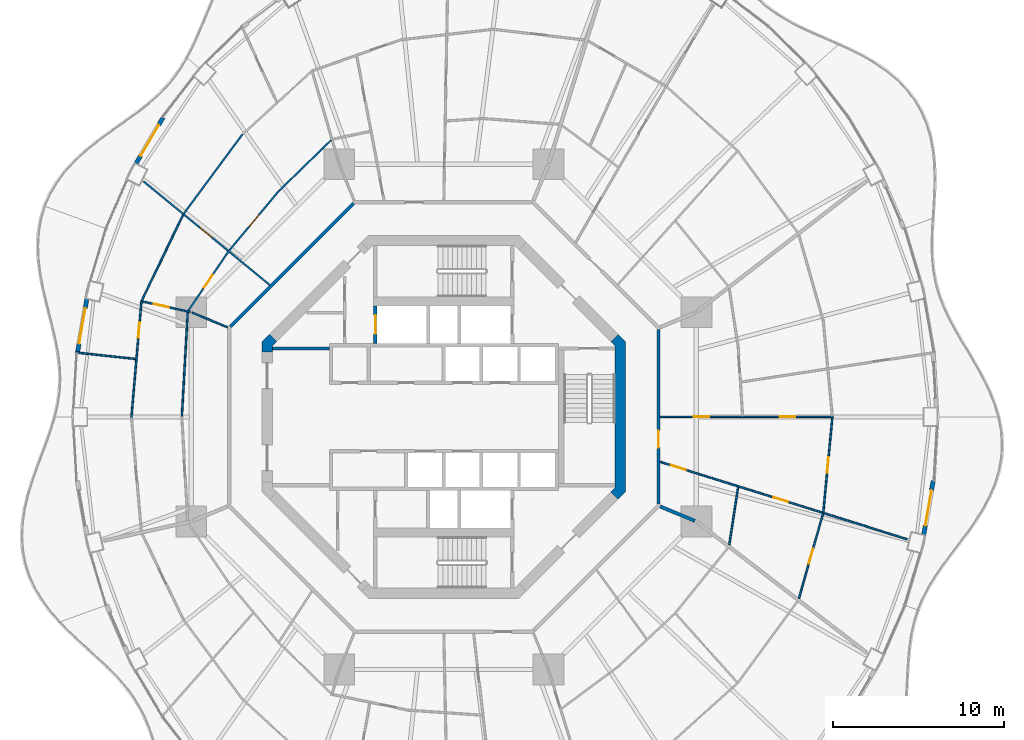
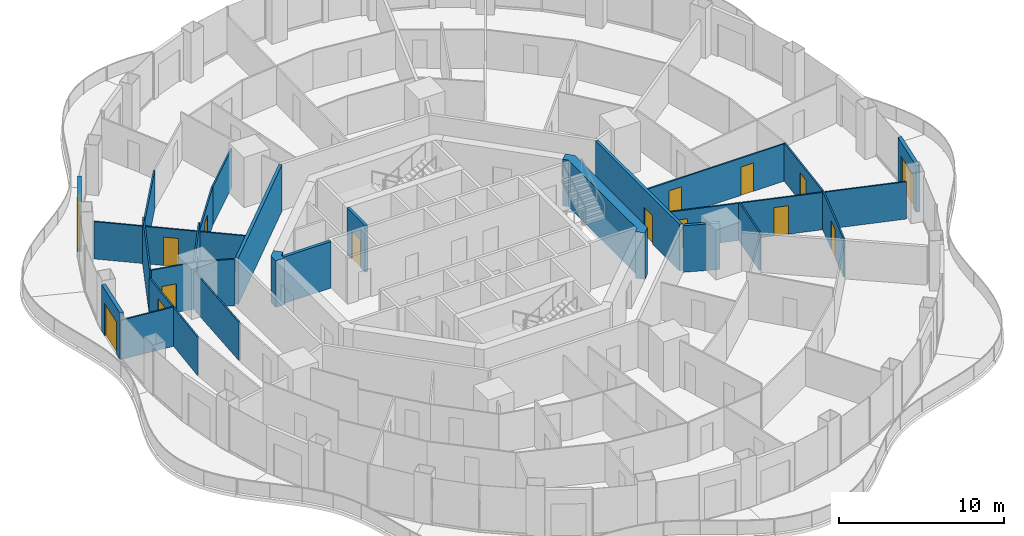
# One storey, part 13 of 19: 26 walls, 16 doors, 16 openings.
"""IFC4 building model written with IfcOpenShell, lengths in metres."""

from ifc_helpers import new_model, si_unit, direction, frame, frame_2d, origin, place, context, subcontext, project, spatial, polyline, rectangle, outline, extrude, material, layer, layer_set, type_object, element, fill, save


model = new_model("IFC4")

# Units and contexts
model_context = context("Model", 3, precision=1e-05, world=origin(), true_north=direction((0.0, 1.0)))
body_context = subcontext(model_context, "Body", "Model", "MODEL_VIEW")
ifc_project = project(units=[si_unit("LENGTHUNIT", "METRE"), si_unit("AREAUNIT", "SQUARE_METRE"), si_unit("VOLUMEUNIT", "CUBIC_METRE"), si_unit("PLANEANGLEUNIT", "RADIAN"), si_unit("MASSUNIT", "GRAM", prefix="KILO")], contexts=[model_context])

# Site, building, storey
site_placement = place(None, origin())
site = spatial("IfcSite", under=ifc_project, at=site_placement, CompositionType="ELEMENT")
building_placement = place(site_placement, origin())
building = spatial("IfcBuilding", under=site, at=building_placement, Name="Nagisa Residences", CompositionType="ELEMENT")
storey_placement = place(building_placement, frame((0.0, 0.0, 180.699951171875)))
storey = spatial("IfcBuildingStorey", under=building, at=storey_placement, Name="L45", CompositionType="ELEMENT", Elevation=180.699951171875)

# Wall
ifc_material_1 = material(Name="Gypsum board on steel studs", Category="steel")
ifc_layer_1 = layer(ifc_material_1, 0.199951171875)
ifc_layer_set_1 = layer_set([ifc_layer_1], Name="Apartment compartment wall EI60 200")
wall_type_1 = type_object("IfcWallType", Name="Apartment compartment wall EI60 200", PredefinedType="PARTITIONING", material=ifc_layer_set_1)
wall_1_placement = place(storey_placement, frame((12.6572265625, -5.24267578125, 0.0), z_axis=(0.0, 0.0, 1.0), x_axis=(0.92383017907, -0.382802560388, 0.0)))
element("IfcWall", 1, at=wall_1_placement, inside=storey, type_object=wall_type_1, Name="wall:L45:u06", PredefinedType="PARTITIONING", context=body_context, shape_type="SweptSolid", body=[
    extrude(rectangle(XDim=2.2001953125, YDim=0.199951171875, at=frame_2d((1.10009765625, 0.0))), origin(), (0.0, 0.0, 1.0), 3.43994140625),
])

# Wall, opening, door
ifc_material_2 = material(Name="Gypsum board on steel studs", Category="steel")
ifc_layer_2 = layer(ifc_material_2, 0.199951171875)
ifc_layer_set_2 = layer_set([ifc_layer_2], Name="Apartment entry wall EI60 200")
wall_type_2 = type_object("IfcWallType", Name="Apartment entry wall EI60 200", PredefinedType="PARTITIONING", material=ifc_layer_set_2)
wall_2_placement = place(storey_placement, frame((12.564697265625, -5.1044921875, 0.0), z_axis=(0.0, 0.0, 1.0), x_axis=(0.0, 1.0, 0.0)))
wall_2 = element("IfcWall", 2, at=wall_2_placement, inside=storey, type_object=wall_type_2, Name="wall:L45:u08", PredefinedType="PARTITIONING", context=body_context, shape_type="SweptSolid", body=[
    extrude(rectangle(XDim=10.208984375, YDim=0.199951171875, at=frame_2d((5.1044921875, 0.0))), origin(), (0.0, 0.0, 1.0), 3.43994140625),
])
opening_1_placement = place(wall_2_placement, frame((3.303466796875, 0.0, 0.0)))
opening_1 = element("IfcOpeningElement", 3, at=opening_1_placement, cuts=wall_2, Name="Opening L45-U36", PredefinedType="OPENING", context=body_context, shape_type="SweptSolid", body=[
    extrude(rectangle(XDim=1.0, YDim=2.10009765625, at=frame_2d((0.5, 1.050048828125))), frame((0.0, 0.10986328125, 0.0), z_axis=(0.0, -1.0, 0.0), x_axis=(1.0, 0.0, 0.0)), (0.0, 0.0, 1.0), 0.219970703125),
])
ifc_material_3 = material(Name="Timber fire door set", Category="wood")
door_type_1 = type_object("IfcDoorType", Name="Apartment entry door FD30S 1000x2100", OperationType="NOTDEFINED", PredefinedType="DOOR", material=ifc_material_3)
door_1_placement = place(opening_1_placement, frame((1.0, 0.0, 0.0), x_axis=(-1.0, 0.0, 0.0)))
door_1 = element("IfcDoor", 4, at=door_1_placement, inside=storey, type_object=door_type_1, Name="Entry door, Apartment 45C", OperationType="SINGLE_SWING_LEFT", OverallHeight=2.10009765625, OverallWidth=1.0, PredefinedType="DOOR", context=body_context, shape_type="SweptSolid", body=[
    extrude(rectangle(XDim=1.0, YDim=2.10009765625, at=frame_2d((0.5, 1.050048828125))), frame((0.0, 0.02490234375, 0.0), z_axis=(0.0, -1.0, 0.0), x_axis=(1.0, 0.0, 0.0)), (0.0, 0.0, 1.0), 0.050048828125),
])
fill(opening_1, door_1)

# Wall
wall_3_placement = place(storey_placement, frame((-5.275146484375, 12.494140625, 0.0), z_axis=(0.0, 0.0, 1.0), x_axis=(-0.707106781187, -0.707106781187, 0.0)))
element("IfcWall", 5, at=wall_3_placement, inside=storey, type_object=wall_type_2, Name="wall:L45:u11", PredefinedType="PARTITIONING", context=body_context, shape_type="SweptSolid", body=[
    extrude(rectangle(XDim=10.209228515625, YDim=0.199951171875, at=frame_2d((5.1044921875, 0.0))), origin(), (0.0, 0.0, 1.0), 3.43994140625),
])

# Wall, openings, doors
ifc_material_4 = material(Name="Gypsum board on steel studs", Category="steel")
ifc_layer_3 = layer(ifc_material_4, 0.10009765625)
ifc_layer_set_3 = layer_set([ifc_layer_3], Name="Apartment partition 100")
wall_type_3 = type_object("IfcWallType", Name="Apartment partition 100", PredefinedType="PARTITIONING", material=ifc_layer_set_3)
wall_4_placement = place(storey_placement, frame((12.664794921875, 0.0, 0.0), z_axis=(0.0, 0.0, 1.0), x_axis=(1.0, 0.0, 0.0)))
wall_4 = element("IfcWall", 6, at=wall_4_placement, inside=storey, type_object=wall_type_3, Name="wall:L45:u16", PredefinedType="PARTITIONING", context=body_context, shape_type="SweptSolid", body=[
    extrude(rectangle(XDim=10.124267578125, YDim=0.10009765625, at=frame_2d((5.06201171875, 0.0))), origin(), (0.0, 0.0, 1.0), 2.756103515625),
])
opening_2_placement = place(wall_4_placement, frame((1.96142578125, 0.0, 0.0)))
opening_2 = element("IfcOpeningElement", 7, at=opening_2_placement, cuts=wall_4, Name="Opening L45-U38", PredefinedType="OPENING", context=body_context, shape_type="SweptSolid", body=[
    extrude(rectangle(XDim=0.89990234375, YDim=2.10009765625, at=frame_2d((0.449951171875, 1.050048828125))), frame((0.0, 0.06005859375, 0.0), z_axis=(0.0, -1.0, 0.0), x_axis=(1.0, 0.0, 0.0)), (0.0, 0.0, 1.0), 0.1201171875),
])
opening_3_placement = place(wall_4_placement, frame((6.998779296875, 0.0, 0.0)))
opening_3 = element("IfcOpeningElement", 8, at=opening_3_placement, cuts=wall_4, Name="Opening L45-U40", PredefinedType="OPENING", context=body_context, shape_type="SweptSolid", body=[
    extrude(rectangle(XDim=0.89990234375, YDim=2.10009765625, at=frame_2d((0.449951171875, 1.050048828125))), frame((0.0, 0.06005859375, 0.0), z_axis=(0.0, -1.0, 0.0), x_axis=(1.0, 0.0, 0.0)), (0.0, 0.0, 1.0), 0.1201171875),
])
ifc_material_5 = material(Name="Timber door set", Category="wood")
door_type_2 = type_object("IfcDoorType", Name="Apartment door 900x2100", OperationType="NOTDEFINED", PredefinedType="DOOR", material=ifc_material_5)
door_2_placement = place(opening_2_placement, origin())
door_2 = element("IfcDoor", 9, at=door_2_placement, inside=storey, type_object=door_type_2, Name="Door to laundry, Apartment 45C", OperationType="SINGLE_SWING_RIGHT", OverallHeight=2.10009765625, OverallWidth=0.89990234375, PredefinedType="DOOR", context=body_context, shape_type="SweptSolid", body=[
    extrude(rectangle(XDim=0.89990234375, YDim=2.10009765625, at=frame_2d((0.449951171875, 1.050048828125))), frame((0.0, 0.02490234375, 0.0), z_axis=(0.0, -1.0, 0.0), x_axis=(1.0, 0.0, 0.0)), (0.0, 0.0, 1.0), 0.050048828125),
])
fill(opening_2, door_2)
door_3_placement = place(opening_3_placement, origin())
door_3 = element("IfcDoor", 10, at=door_3_placement, inside=storey, type_object=door_type_2, Name="Door to family bathroom, Apartment 45C", OperationType="SINGLE_SWING_RIGHT", OverallHeight=2.10009765625, OverallWidth=0.89990234375, PredefinedType="DOOR", context=body_context, shape_type="SweptSolid", body=[
    extrude(rectangle(XDim=0.89990234375, YDim=2.10009765625, at=frame_2d((0.449951171875, 1.050048828125))), frame((0.0, 0.02490234375, 0.0), z_axis=(0.0, -1.0, 0.0), x_axis=(1.0, 0.0, 0.0)), (0.0, 0.0, 1.0), 0.050048828125),
])
fill(opening_3, door_3)

# Wall, opening, door
wall_5_placement = place(storey_placement, frame((22.734375, -0.0498046875, 0.0), z_axis=(0.0, 0.0, 1.0), x_axis=(-0.094923312677, -0.995484587882, 0.0)))
wall_5 = element("IfcWall", 11, at=wall_5_placement, inside=storey, type_object=wall_type_3, Name="wall:L45:u19", PredefinedType="PARTITIONING", context=body_context, shape_type="SweptSolid", body=[
    extrude(rectangle(XDim=5.5478515625, YDim=0.10009765625, at=frame_2d((2.77392578125, 0.0))), origin(), (0.0, 0.0, 1.0), 2.837158203125),
])
opening_4_placement = place(wall_5_placement, frame((2.323974609375, 0.0, 0.0)))
opening_4 = element("IfcOpeningElement", 12, at=opening_4_placement, cuts=wall_5, Name="Opening L45-U43", PredefinedType="OPENING", context=body_context, shape_type="SweptSolid", body=[
    extrude(rectangle(XDim=0.89990234375, YDim=2.10009765625, at=frame_2d((0.449951171875, 1.050048828125))), frame((0.0, 0.06005859375, 0.0), z_axis=(0.0, -1.0, 0.0), x_axis=(1.0, 0.0, 0.0)), (0.0, 0.0, 1.0), 0.1201171875),
])
door_4_placement = place(opening_4_placement, origin())
door_4 = element("IfcDoor", 13, at=door_4_placement, inside=storey, type_object=door_type_2, Name="Door to living room, Apartment 45C", OperationType="SINGLE_SWING_LEFT", OverallHeight=2.10009765625, OverallWidth=0.89990234375, PredefinedType="DOOR", context=body_context, shape_type="SweptSolid", body=[
    extrude(rectangle(XDim=0.89990234375, YDim=2.10009765625, at=frame_2d((0.449951171875, 1.050048828125))), frame((0.0, 0.02490234375, 0.0), z_axis=(0.0, -1.0, 0.0), x_axis=(1.0, 0.0, 0.0)), (0.0, 0.0, 1.0), 0.050048828125),
])
fill(opening_4, door_4)

# Wall
wall_6_placement = place(storey_placement, frame((-6.580322265625, 16.200927734375, 0.0), z_axis=(0.0, 0.0, 1.0), x_axis=(-0.716946269374, -0.697128429223, 0.0)))
element("IfcWall", 14, at=wall_6_placement, inside=storey, type_object=wall_type_3, Name="wall:L45:u41", PredefinedType="PARTITIONING", context=body_context, shape_type="SweptSolid", body=[
    extrude(rectangle(XDim=4.250244140625, YDim=0.10009765625, at=frame_2d((2.125, 0.0))), origin(), (0.0, 0.0, 1.0), 2.837158203125),
])

# Wall, opening, door
wall_7_placement = place(storey_placement, frame((-9.63134765625, 13.24169921875, 0.0), z_axis=(0.0, 0.0, 1.0), x_axis=(-0.640315711982, -0.768111833647, 0.0)))
wall_7 = element("IfcWall", 15, at=wall_7_placement, inside=storey, type_object=wall_type_3, Name="wall:L45:u44", PredefinedType="PARTITIONING", context=body_context, shape_type="SweptSolid", body=[
    extrude(rectangle(XDim=4.571533203125, YDim=0.10009765625, at=frame_2d((2.28564453125, 0.0))), origin(), (0.0, 0.0, 1.0), 2.837158203125),
])
opening_5_placement = place(wall_7_placement, frame((1.86083984375, 0.0, 0.0)))
opening_5 = element("IfcOpeningElement", 16, at=opening_5_placement, cuts=wall_7, Name="Opening L45-U14", PredefinedType="OPENING", context=body_context, shape_type="SweptSolid", body=[
    extrude(rectangle(XDim=0.89990234375, YDim=2.10009765625, at=frame_2d((0.449951171875, 1.050048828125))), frame((0.0, 0.06005859375, 0.0), z_axis=(0.0, -1.0, 0.0), x_axis=(1.0, 0.0, 0.0)), (0.0, 0.0, 1.0), 0.1201171875),
])
door_5_placement = place(opening_5_placement, origin())
door_5 = element("IfcDoor", 17, at=door_5_placement, inside=storey, type_object=door_type_2, Name="Door to store, Apartment 45A", OperationType="SINGLE_SWING_RIGHT", OverallHeight=2.10009765625, OverallWidth=0.89990234375, PredefinedType="DOOR", context=body_context, shape_type="SweptSolid", body=[
    extrude(rectangle(XDim=0.89990234375, YDim=2.10009765625, at=frame_2d((0.449951171875, 1.050048828125))), frame((0.0, 0.02490234375, 0.0), z_axis=(0.0, -1.0, 0.0), x_axis=(1.0, 0.0, 0.0)), (0.0, 0.0, 1.0), 0.050048828125),
])
fill(opening_5, door_5)

# Wall
wall_8_placement = place(storey_placement, frame((-11.77294921875, 16.54150390625, 0.0), z_axis=(0.0, 0.0, 1.0), x_axis=(-0.594694305999, -0.803951915485, 0.0)))
element("IfcWall", 18, at=wall_8_placement, inside=storey, type_object=wall_type_3, Name="wall:L45:u45", PredefinedType="PARTITIONING", context=body_context, shape_type="SweptSolid", body=[
    extrude(rectangle(XDim=5.771728515625, YDim=0.10009765625, at=frame_2d((2.8857421875, 0.0))), origin(), (0.0, 0.0, 1.0), 2.837158203125),
])

# Wall, opening, door
wall_9_placement = place(storey_placement, frame((-10.188720703125, 7.721435546875, 0.0), z_axis=(0.0, 0.0, 1.0), x_axis=(-0.773134429339, 0.634242188892, 0.0)))
wall_9 = element("IfcWall", 19, at=wall_9_placement, inside=storey, type_object=wall_type_3, Name="wall:L45:u46", PredefinedType="PARTITIONING", context=body_context, shape_type="SweptSolid", body=[
    extrude(rectangle(XDim=9.5517578125, YDim=0.10009765625, at=frame_2d((4.77587890625, 0.0))), origin(), (0.0, 0.0, 1.0), 2.756103515625),
])
opening_6_placement = place(wall_9_placement, frame((4.366943359375, 0.0, 0.0)))
opening_6 = element("IfcOpeningElement", 20, at=opening_6_placement, cuts=wall_9, Name="Opening L45-U10", PredefinedType="OPENING", context=body_context, shape_type="SweptSolid", body=[
    extrude(rectangle(XDim=0.89990234375, YDim=2.10009765625, at=frame_2d((0.449951171875, 1.050048828125))), frame((0.0, 0.06005859375, 0.0), z_axis=(0.0, -1.0, 0.0), x_axis=(1.0, 0.0, 0.0)), (0.0, 0.0, 1.0), 0.1201171875),
])
door_6_placement = place(opening_6_placement, origin())
door_6 = element("IfcDoor", 21, at=door_6_placement, inside=storey, type_object=door_type_2, Name="Door to study, Apartment 45A", OperationType="SINGLE_SWING_RIGHT", OverallHeight=2.10009765625, OverallWidth=0.89990234375, PredefinedType="DOOR", context=body_context, shape_type="SweptSolid", body=[
    extrude(rectangle(XDim=0.89990234375, YDim=2.10009765625, at=frame_2d((0.449951171875, 1.050048828125))), frame((0.0, 0.02490234375, 0.0), z_axis=(0.0, -1.0, 0.0), x_axis=(1.0, 0.0, 0.0)), (0.0, 0.0, 1.0), 0.050048828125),
])
fill(opening_6, door_6)

wall_10_placement = place(storey_placement, frame((-12.61865234375, 9.650390625, 0.0), z_axis=(0.0, 0.0, 1.0), x_axis=(-0.561064907171, -0.827771810308, 0.0)))
wall_10 = element("IfcWall", 22, at=wall_10_placement, inside=storey, type_object=wall_type_3, Name="wall:L45:u47", PredefinedType="PARTITIONING", context=body_context, shape_type="SweptSolid", body=[
    extrude(rectangle(XDim=4.15869140625, YDim=0.10009765625, at=frame_2d((2.079345703125, 0.0))), origin(), (0.0, 0.0, 1.0), 3.43994140625),
])
opening_7_placement = place(wall_10_placement, frame((1.62939453125, 0.0, 0.0)))
opening_7 = element("IfcOpeningElement", 23, at=opening_7_placement, cuts=wall_10, Name="Opening L45-U15", PredefinedType="OPENING", context=body_context, shape_type="SweptSolid", body=[
    extrude(rectangle(XDim=0.89990234375, YDim=2.10009765625, at=frame_2d((0.449951171875, 1.050048828125))), frame((0.0, 0.06005859375, 0.0), z_axis=(0.0, -1.0, 0.0), x_axis=(1.0, 0.0, 0.0)), (0.0, 0.0, 1.0), 0.1201171875),
])
door_7_placement = place(opening_7_placement, origin())
door_7 = element("IfcDoor", 24, at=door_7_placement, inside=storey, type_object=door_type_2, Name="Door to laundry, Apartment 45A", OperationType="SINGLE_SWING_LEFT", OverallHeight=2.10009765625, OverallWidth=0.89990234375, PredefinedType="DOOR", context=body_context, shape_type="SweptSolid", body=[
    extrude(rectangle(XDim=0.89990234375, YDim=2.10009765625, at=frame_2d((0.449951171875, 1.050048828125))), frame((0.0, 0.02490234375, 0.0), z_axis=(0.0, -1.0, 0.0), x_axis=(1.0, 0.0, 0.0)), (0.0, 0.0, 1.0), 0.050048828125),
])
fill(opening_7, door_7)

# Walls
wall_11_placement = place(storey_placement, frame((-15.2568359375, 11.816162109375, 0.0), z_axis=(0.0, 0.0, 1.0), x_axis=(-0.434040130629, -0.900893536997, 0.0)))
element("IfcWall", 25, at=wall_11_placement, inside=storey, type_object=wall_type_3, Name="wall:L45:u48", PredefinedType="PARTITIONING", context=body_context, shape_type="SweptSolid", body=[
    extrude(rectangle(XDim=5.557861328125, YDim=0.10009765625, at=frame_2d((2.77880859375, 0.0))), origin(), (0.0, 0.0, 1.0), 3.43994140625),
])
wall_12_placement = place(storey_placement, frame((-12.6572265625, 5.24267578125, 0.0), z_axis=(0.0, 0.0, 1.0), x_axis=(-0.923848837015, 0.382757529444, 0.0)))
element("IfcWall", 26, at=wall_12_placement, inside=storey, type_object=wall_type_3, Name="wall:L45:u49", PredefinedType="PARTITIONING", context=body_context, shape_type="SweptSolid", body=[
    extrude(rectangle(XDim=2.249755859375, YDim=0.10009765625, at=frame_2d((1.125, 0.0))), origin(), (0.0, 0.0, 1.0), 3.43994140625),
])

# Wall, opening, door
wall_13_placement = place(storey_placement, frame((-14.830810546875, 6.133544921875, 0.0), z_axis=(0.0, 0.0, 1.0), x_axis=(-0.976560749847, 0.215241961191, 0.0)))
wall_13 = element("IfcWall", 27, at=wall_13_placement, inside=storey, type_object=wall_type_3, Name="wall:L45:u50", PredefinedType="PARTITIONING", context=body_context, shape_type="SweptSolid", body=[
    extrude(rectangle(XDim=2.878662109375, YDim=0.10009765625, at=frame_2d((1.439453125, 0.0))), origin(), (0.0, 0.0, 1.0), 3.43994140625),
])
opening_8_placement = place(wall_13_placement, frame((1.291015625, 0.0, 0.0)))
opening_8 = element("IfcOpeningElement", 28, at=opening_8_placement, cuts=wall_13, Name="Opening L45-U11", PredefinedType="OPENING", context=body_context, shape_type="SweptSolid", body=[
    extrude(rectangle(XDim=0.89990234375, YDim=2.10009765625, at=frame_2d((0.449951171875, 1.050048828125))), frame((0.0, 0.06005859375, 0.0), z_axis=(0.0, -1.0, 0.0), x_axis=(1.0, 0.0, 0.0)), (0.0, 0.0, 1.0), 0.1201171875),
])
door_8_placement = place(opening_8_placement, origin())
door_8 = element("IfcDoor", 29, at=door_8_placement, inside=storey, type_object=door_type_2, Name="Door to kitchen, Apartment 45A", OperationType="SINGLE_SWING_LEFT", OverallHeight=2.10009765625, OverallWidth=0.89990234375, PredefinedType="DOOR", context=body_context, shape_type="SweptSolid", body=[
    extrude(rectangle(XDim=0.89990234375, YDim=2.10009765625, at=frame_2d((0.449951171875, 1.050048828125))), frame((0.0, 0.02490234375, 0.0), z_axis=(0.0, -1.0, 0.0), x_axis=(1.0, 0.0, 0.0)), (0.0, 0.0, 1.0), 0.050048828125),
])
fill(opening_8, door_8)

# Wall
wall_14_placement = place(storey_placement, frame((-14.982666015625, 6.11669921875, 0.0), z_axis=(0.0, 0.0, 1.0), x_axis=(-0.056328933432, -0.998412265178, 0.0)))
element("IfcWall", 30, at=wall_14_placement, inside=storey, type_object=wall_type_3, Name="wall:L45:u51", PredefinedType="PARTITIONING", context=body_context, shape_type="SweptSolid", body=[
    extrude(rectangle(XDim=6.07666015625, YDim=0.10009765625, at=frame_2d((3.038330078125, 0.0))), origin(), (0.0, 0.0, 1.0), 2.837158203125),
])

# Wall, opening, door
wall_15_placement = place(storey_placement, frame((-17.686767578125, 6.813720703125, 0.0), z_axis=(0.0, 0.0, 1.0), x_axis=(-0.086010249709, -0.996294252189, 0.0)))
wall_15 = element("IfcWall", 31, at=wall_15_placement, inside=storey, type_object=wall_type_3, Name="wall:L45:u52", PredefinedType="PARTITIONING", context=body_context, shape_type="SweptSolid", body=[
    extrude(rectangle(XDim=6.88916015625, YDim=0.10009765625, at=frame_2d((3.444580078125, 0.0))), origin(), (0.0, 0.0, 1.0), 2.837158203125),
])
opening_9_placement = place(wall_15_placement, frame((1.29736328125, 0.0, 0.0)))
opening_9 = element("IfcOpeningElement", 32, at=opening_9_placement, cuts=wall_15, Name="Opening L45-U12", PredefinedType="OPENING", context=body_context, shape_type="SweptSolid", body=[
    extrude(rectangle(XDim=0.89990234375, YDim=2.10009765625, at=frame_2d((0.449951171875, 1.050048828125))), frame((0.0, 0.06005859375, 0.0), z_axis=(0.0, -1.0, 0.0), x_axis=(1.0, 0.0, 0.0)), (0.0, 0.0, 1.0), 0.1201171875),
])
door_9_placement = place(opening_9_placement, frame((0.89990234375, 0.0, 0.0), x_axis=(-1.0, 0.0, 0.0)))
door_9 = element("IfcDoor", 33, at=door_9_placement, inside=storey, type_object=door_type_2, Name="Door to kitchen, Apartment 45A", OperationType="SINGLE_SWING_LEFT", OverallHeight=2.10009765625, OverallWidth=0.89990234375, PredefinedType="DOOR", context=body_context, shape_type="SweptSolid", body=[
    extrude(rectangle(XDim=0.89990234375, YDim=2.10009765625, at=frame_2d((0.449951171875, 1.050048828125))), frame((0.0, 0.02490234375, 0.0), z_axis=(0.0, -1.0, 0.0), x_axis=(1.0, 0.0, 0.0)), (0.0, 0.0, 1.0), 0.050048828125),
])
fill(opening_9, door_9)

# Walls
wall_16_placement = place(storey_placement, frame((-18.03271484375, 3.387451171875, 0.0), z_axis=(0.0, 0.0, 1.0), x_axis=(-0.994194772207, 0.107595329438, 0.0)))
element("IfcWall", 34, at=wall_16_placement, inside=storey, type_object=wall_type_3, Name="wall:L45:u53", PredefinedType="PARTITIONING", context=body_context, shape_type="SweptSolid", body=[
    extrude(rectangle(XDim=3.505615234375, YDim=0.10009765625, at=frame_2d((1.7529296875, 0.0))), origin(), (0.0, 0.0, 1.0), 2.905029296875),
])
wall_17_placement = place(storey_placement, frame((16.704345703125, -7.4931640625, 0.0), z_axis=(0.0, 0.0, 1.0), x_axis=(0.1510806336, 0.988521442434, 0.0)))
element("IfcWall", 35, at=wall_17_placement, inside=storey, type_object=wall_type_3, Name="wall:L45:u88", PredefinedType="PARTITIONING", context=body_context, shape_type="SweptSolid", body=[
    extrude(rectangle(XDim=3.41943359375, YDim=0.10009765625, at=frame_2d((1.709716796875, 0.0))), origin(), (0.0, 0.0, 1.0), 2.837158203125),
])

# Wall, opening, door
wall_18_placement = place(storey_placement, frame((20.77880859375, -10.625244140625, 0.0), z_axis=(0.0, 0.0, 1.0), x_axis=(0.273819702124, 0.961781040949, 0.0)))
wall_18 = element("IfcWall", 36, at=wall_18_placement, inside=storey, type_object=wall_type_3, Name="wall:L45:u89", PredefinedType="PARTITIONING", context=body_context, shape_type="SweptSolid", body=[
    extrude(rectangle(XDim=5.151611328125, YDim=0.10009765625, at=frame_2d((2.57568359375, 0.0))), origin(), (0.0, 0.0, 1.0), 2.837158203125),
])
opening_10_placement = place(wall_18_placement, frame((2.125732421875, 0.0, 0.0)))
opening_10 = element("IfcOpeningElement", 37, at=opening_10_placement, cuts=wall_18, Name="Opening L45-U42", PredefinedType="OPENING", context=body_context, shape_type="SweptSolid", body=[
    extrude(rectangle(XDim=0.89990234375, YDim=2.10009765625, at=frame_2d((0.449951171875, 1.050048828125))), frame((0.0, 0.06005859375, 0.0), z_axis=(0.0, -1.0, 0.0), x_axis=(1.0, 0.0, 0.0)), (0.0, 0.0, 1.0), 0.1201171875),
])
door_10_placement = place(opening_10_placement, frame((0.89990234375, 0.0, 0.0), x_axis=(-1.0, 0.0, 0.0)))
door_10 = element("IfcDoor", 38, at=door_10_placement, inside=storey, type_object=door_type_2, Name="Door to dining room, Apartment 45C", OperationType="SINGLE_SWING_LEFT", OverallHeight=2.10009765625, OverallWidth=0.89990234375, PredefinedType="DOOR", context=body_context, shape_type="SweptSolid", body=[
    extrude(rectangle(XDim=0.89990234375, YDim=2.10009765625, at=frame_2d((0.449951171875, 1.050048828125))), frame((0.0, 0.02490234375, 0.0), z_axis=(0.0, -1.0, 0.0), x_axis=(1.0, 0.0, 0.0)), (0.0, 0.0, 1.0), 0.050048828125),
])
fill(opening_10, door_10)

# Wall, openings, doors
wall_19_placement = place(storey_placement, frame((12.66015625, -2.632080078125, 0.0), z_axis=(0.0, 0.0, 1.0), x_axis=(0.954248738607, -0.299013954302, 0.0)))
wall_19 = element("IfcWall", 39, at=wall_19_placement, inside=storey, type_object=wall_type_3, Name="wall:L45:u90", PredefinedType="PARTITIONING", context=body_context, shape_type="SweptSolid", body=[
    extrude(rectangle(XDim=15.141845703125, YDim=0.10009765625, at=frame_2d((7.57080078125, 0.0))), origin(), (0.0, 0.0, 1.0), 2.756103515625),
])
opening_11_placement = place(wall_19_placement, frame((0.668701171875, 0.0, 0.0)))
opening_11 = element("IfcOpeningElement", 40, at=opening_11_placement, cuts=wall_19, Name="Opening L45-U37", PredefinedType="OPENING", context=body_context, shape_type="SweptSolid", body=[
    extrude(rectangle(XDim=0.89990234375, YDim=2.10009765625, at=frame_2d((0.449951171875, 1.050048828125))), frame((0.0, 0.06005859375, 0.0), z_axis=(0.0, -1.0, 0.0), x_axis=(1.0, 0.0, 0.0)), (0.0, 0.0, 1.0), 0.1201171875),
])
opening_12_placement = place(wall_19_placement, frame((6.94384765625, 0.0, 0.0)))
opening_12 = element("IfcOpeningElement", 41, at=opening_12_placement, cuts=wall_19, Name="Opening L45-U39", PredefinedType="OPENING", context=body_context, shape_type="SweptSolid", body=[
    extrude(rectangle(XDim=0.89990234375, YDim=2.10009765625, at=frame_2d((0.449951171875, 1.050048828125))), frame((0.0, 0.06005859375, 0.0), z_axis=(0.0, -1.0, 0.0), x_axis=(1.0, 0.0, 0.0)), (0.0, 0.0, 1.0), 0.1201171875),
])
door_11_placement = place(opening_11_placement, frame((0.89990234375, 0.0, 0.0), x_axis=(-1.0, 0.0, 0.0)))
door_11 = element("IfcDoor", 42, at=door_11_placement, inside=storey, type_object=door_type_2, Name="Door to store, Apartment 45C", OperationType="SINGLE_SWING_RIGHT", OverallHeight=2.10009765625, OverallWidth=0.89990234375, PredefinedType="DOOR", context=body_context, shape_type="SweptSolid", body=[
    extrude(rectangle(XDim=0.89990234375, YDim=2.10009765625, at=frame_2d((0.449951171875, 1.050048828125))), frame((0.0, 0.02490234375, 0.0), z_axis=(0.0, -1.0, 0.0), x_axis=(1.0, 0.0, 0.0)), (0.0, 0.0, 1.0), 0.050048828125),
])
fill(opening_11, door_11)
door_12_placement = place(opening_12_placement, frame((0.89990234375, 0.0, 0.0), x_axis=(-1.0, 0.0, 0.0)))
door_12 = element("IfcDoor", 43, at=door_12_placement, inside=storey, type_object=door_type_2, Name="Door to kitchen, Apartment 45C", OperationType="SINGLE_SWING_RIGHT", OverallHeight=2.10009765625, OverallWidth=0.89990234375, PredefinedType="DOOR", context=body_context, shape_type="SweptSolid", body=[
    extrude(rectangle(XDim=0.89990234375, YDim=2.10009765625, at=frame_2d((0.449951171875, 1.050048828125))), frame((0.0, 0.02490234375, 0.0), z_axis=(0.0, -1.0, 0.0), x_axis=(1.0, 0.0, 0.0)), (0.0, 0.0, 1.0), 0.050048828125),
])
fill(opening_12, door_12)

# Wall, opening, door
ifc_material_6 = material(Name="Precast concrete C40/50", Category="concrete")
ifc_layer_4 = layer(ifc_material_6, 0.25)
ifc_layer_set_4 = layer_set([ifc_layer_4], Name="BALCONY DOOR WALL 250")
wall_type_4 = type_object("IfcWallType", Name="BALCONY DOOR WALL 250", PredefinedType="SOLIDWALL", material=ifc_layer_set_4)
wall_20_placement = place(storey_placement, frame((-17.989013671875, 14.848388671875, 0.0), z_axis=(0.0, 0.0, 1.0), x_axis=(0.506309086483, 0.862352079458, 0.0)))
wall_20 = element("IfcWall", 44, at=wall_20_placement, inside=storey, type_object=wall_type_4, Name="wall:L45:bay19", PredefinedType="SOLIDWALL", context=body_context, shape_type="SweptSolid", body=[
    extrude(rectangle(XDim=3.091796875, YDim=0.25, at=frame_2d((1.5458984375, 0.0))), origin(), (0.0, 0.0, 1.0), 3.43994140625),
])
opening_13_placement = place(wall_20_placement, frame((0.495849609375, 0.0, 0.0)))
opening_13 = element("IfcOpeningElement", 45, at=opening_13_placement, cuts=wall_20, Name="Opening BD-L45-07", PredefinedType="OPENING", context=body_context, shape_type="SweptSolid", body=[
    extrude(rectangle(XDim=2.10009765625, YDim=2.39990234375, at=frame_2d((1.050048828125, 1.199951171875))), frame((0.0, 0.135009765625, 0.0), z_axis=(0.0, -1.0, 0.0), x_axis=(1.0, 0.0, 0.0)), (0.0, 0.0, 1.0), 0.27001953125),
])
ifc_material_7 = material(Name="Aluminium and clear glass", Category="aluminium")
door_type_3 = type_object("IfcDoorType", Name="BALCONY SLIDING DOOR 2100x2400", OperationType="SLIDING_TO_LEFT", PredefinedType="DOOR", material=ifc_material_7)
door_13_placement = place(opening_13_placement, origin())
door_13 = element("IfcDoor", 46, at=door_13_placement, inside=storey, type_object=door_type_3, Name="door:L45:bay19", OperationType="SLIDING_TO_LEFT", OverallHeight=2.39990234375, OverallWidth=2.10009765625, PredefinedType="DOOR", context=body_context, shape_type="SweptSolid", body=[
    extrude(rectangle(XDim=2.10009765625, YDim=2.39990234375, at=frame_2d((1.050048828125, 1.199951171875))), frame((0.0, 0.02490234375, 0.0), z_axis=(0.0, -1.0, 0.0), x_axis=(1.0, 0.0, 0.0)), (0.0, 0.0, 1.0), 0.050048828125),
])
fill(opening_13, door_13)

wall_21_placement = place(storey_placement, frame((-21.434814453125, 3.747314453125, 0.0), z_axis=(0.0, 0.0, 1.0), x_axis=(0.172223552479, 0.98505789067, 0.0)))
wall_21 = element("IfcWall", 47, at=wall_21_placement, inside=storey, type_object=wall_type_4, Name="wall:L45:bay22", PredefinedType="SOLIDWALL", context=body_context, shape_type="SweptSolid", body=[
    extrude(rectangle(XDim=3.2109375, YDim=0.25, at=frame_2d((1.60546875, 0.0))), origin(), (0.0, 0.0, 1.0), 3.43994140625),
])
opening_14_placement = place(wall_21_placement, frame((0.555419921875, 0.0, 0.0)))
opening_14 = element("IfcOpeningElement", 48, at=opening_14_placement, cuts=wall_21, Name="Opening BD-L45-08", PredefinedType="OPENING", context=body_context, shape_type="SweptSolid", body=[
    extrude(rectangle(XDim=2.10009765625, YDim=2.39990234375, at=frame_2d((1.050048828125, 1.199951171875))), frame((0.0, 0.135009765625, 0.0), z_axis=(0.0, -1.0, 0.0), x_axis=(1.0, 0.0, 0.0)), (0.0, 0.0, 1.0), 0.27001953125),
])
door_14_placement = place(opening_14_placement, origin())
door_14 = element("IfcDoor", 49, at=door_14_placement, inside=storey, type_object=door_type_3, Name="door:L45:bay22", OperationType="SLIDING_TO_LEFT", OverallHeight=2.39990234375, OverallWidth=2.10009765625, PredefinedType="DOOR", context=body_context, shape_type="SweptSolid", body=[
    extrude(rectangle(XDim=2.10009765625, YDim=2.39990234375, at=frame_2d((1.050048828125, 1.199951171875))), frame((0.0, 0.02490234375, 0.0), z_axis=(0.0, -1.0, 0.0), x_axis=(1.0, 0.0, 0.0)), (0.0, 0.0, 1.0), 0.050048828125),
])
fill(opening_14, door_14)

wall_22_placement = place(storey_placement, frame((28.634765625, -3.747314453125, 0.0), z_axis=(0.0, 0.0, 1.0), x_axis=(-0.172149769468, -0.985070787747, 0.0)))
wall_22 = element("IfcWall", 50, at=wall_22_placement, inside=storey, type_object=wall_type_4, Name="wall:L45:bay46", PredefinedType="SOLIDWALL", context=body_context, shape_type="SweptSolid", body=[
    extrude(rectangle(XDim=3.210693359375, YDim=0.25, at=frame_2d((1.60546875, 0.0))), origin(), (0.0, 0.0, 1.0), 3.43994140625),
])
opening_15_placement = place(wall_22_placement, frame((0.555419921875, 0.0, 0.0)))
opening_15 = element("IfcOpeningElement", 51, at=opening_15_placement, cuts=wall_22, Name="Opening BD-L45-16", PredefinedType="OPENING", context=body_context, shape_type="SweptSolid", body=[
    extrude(rectangle(XDim=2.10009765625, YDim=2.39990234375, at=frame_2d((1.050048828125, 1.199951171875))), frame((0.0, 0.135009765625, 0.0), z_axis=(0.0, -1.0, 0.0), x_axis=(1.0, 0.0, 0.0)), (0.0, 0.0, 1.0), 0.27001953125),
])
door_15_placement = place(opening_15_placement, origin())
door_15 = element("IfcDoor", 52, at=door_15_placement, inside=storey, type_object=door_type_3, Name="door:L45:bay46", OperationType="SLIDING_TO_LEFT", OverallHeight=2.39990234375, OverallWidth=2.10009765625, PredefinedType="DOOR", context=body_context, shape_type="SweptSolid", body=[
    extrude(rectangle(XDim=2.10009765625, YDim=2.39990234375, at=frame_2d((1.050048828125, 1.199951171875))), frame((0.0, 0.02490234375, 0.0), z_axis=(0.0, -1.0, 0.0), x_axis=(1.0, 0.0, 0.0)), (0.0, 0.0, 1.0), 0.050048828125),
])
fill(opening_15, door_15)

# Walls
ifc_material_8 = material(Name="Gypsum board on steel studs", Category="steel")
ifc_layer_5 = layer(ifc_material_8, 0.199951171875)
ifc_layer_set_5 = layer_set([ifc_layer_5], Name="Core partition 200")
wall_type_5 = type_object("IfcWallType", Name="Core partition 200", PredefinedType="PARTITIONING", material=ifc_layer_set_5)
wall_23_placement = place(storey_placement, frame((-10.024658203125, 4.0, 0.0), z_axis=(0.0, 0.0, 1.0), x_axis=(1.0, 0.0, 0.0)))
element("IfcWall", 53, at=wall_23_placement, inside=storey, type_object=wall_type_5, Name="wall:L45:PNW", PredefinedType="PARTITIONING", context=body_context, shape_type="SweptSolid", body=[
    extrude(rectangle(XDim=3.32470703125, YDim=0.199951171875, at=frame_2d((1.662353515625, 0.0))), origin(), (0.0, 0.0, 1.0), 3.43994140625),
])
ifc_material_9 = material(Name="Concrete C60", Category="concrete")
ifc_layer_6 = layer(ifc_material_9, 0.60009765625)
ifc_layer_set_6 = layer_set([ifc_layer_6], Name="Core shear wall 600")
wall_type_6 = type_object("IfcWallType", Name="Core shear wall 600", PredefinedType="SHEAR", material=ifc_layer_set_6)
wall_24_placement = place(storey_placement, origin())
element("IfcWall", 54, at=wall_24_placement, inside=storey, type_object=wall_type_6, Name="wall:L45:core:pier3", PredefinedType="SHEAR", context=body_context, shape_type="SweptSolid", body=[
    extrude(outline(polyline([(-10.200439453125, 4.8251953125), (-9.776123046875, 4.40087890625), (-10.024658203125, 4.15234375), (-10.024658203125, 3.80078125), (-10.62451171875, 3.80078125), (-10.62451171875, 4.40087890625), (-10.200439453125, 4.8251953125)])), origin(), (0.0, 0.0, 1.0), 3.43994140625),
])
wall_25_placement = place(storey_placement, origin())
element("IfcWall", 55, at=wall_25_placement, inside=storey, type_object=wall_type_6, Name="wall:L45:core:flat0", PredefinedType="SHEAR", context=body_context, shape_type="SweptSolid", body=[
    extrude(outline(polyline([(9.776123046875, -4.40087890625), (10.024658203125, -4.15234375), (10.024658203125, -3.801025390625), (10.024658203125, 4.15234375), (9.776123046875, 4.40087890625), (10.200439453125, 4.8251953125), (10.62451171875, 4.40087890625), (10.62451171875, -4.40087890625), (10.200439453125, -4.8251953125), (9.776123046875, -4.40087890625)])), origin(), (0.0, 0.0, 1.0), 3.43994140625),
])

# Wall, opening, door
ifc_material_10 = material(Name="Concrete C60", Category="concrete")
ifc_layer_7 = layer(ifc_material_10, 0.199951171875)
ifc_layer_set_7 = layer_set([ifc_layer_7], Name="Lift shaft wall 200")
wall_type_7 = type_object("IfcWallType", Name="Lift shaft wall 200", PredefinedType="SOLIDWALL", material=ifc_layer_set_7)
wall_26_placement = place(storey_placement, frame((-4.0, 4.300048828125, 0.0), z_axis=(0.0, 0.0, 1.0), x_axis=(0.0, 1.0, 0.0)))
wall_26 = element("IfcWall", 56, at=wall_26_placement, inside=storey, type_object=wall_type_7, Name="wall:L45:Nb4", PredefinedType="SOLIDWALL", context=body_context, shape_type="SweptSolid", body=[
    extrude(rectangle(XDim=2.199951171875, YDim=0.199951171875, at=frame_2d((1.10009765625, 0.0))), origin(), (0.0, 0.0, 1.0), 3.43994140625),
])
opening_16_placement = place(wall_26_placement, frame((0.550048828125, 0.0, 0.0)))
opening_16 = element("IfcOpeningElement", 57, at=opening_16_placement, cuts=wall_26, Name="Opening L45-C07", PredefinedType="OPENING", context=body_context, shape_type="SweptSolid", body=[
    extrude(rectangle(XDim=1.10009765625, YDim=2.10009765625, at=frame_2d((0.550048828125, 1.050048828125))), frame((0.0, 0.10986328125, 0.0), z_axis=(0.0, -1.0, 0.0), x_axis=(1.0, 0.0, 0.0)), (0.0, 0.0, 1.0), 0.219970703125),
])
ifc_material_11 = material(Name="Stainless steel", Category="steel")
door_type_4 = type_object("IfcDoorType", Name="Lift landing door 1100x2100", OperationType="DOUBLE_DOOR_SLIDING", PredefinedType="DOOR", material=ifc_material_11)
door_16_placement = place(opening_16_placement, origin())
door_16 = element("IfcDoor", 58, at=door_16_placement, inside=storey, type_object=door_type_4, Name="Landing door SV L45", OperationType="DOUBLE_DOOR_SLIDING", OverallHeight=2.10009765625, OverallWidth=1.10009765625, PredefinedType="DOOR", context=body_context, shape_type="SweptSolid", body=[
    extrude(rectangle(XDim=1.10009765625, YDim=2.10009765625, at=frame_2d((0.550048828125, 1.050048828125))), frame((0.0, 0.02490234375, 0.0), z_axis=(0.0, -1.0, 0.0), x_axis=(1.0, 0.0, 0.0)), (0.0, 0.0, 1.0), 0.050048828125),
])
fill(opening_16, door_16)

save(model, "model.ifc")
